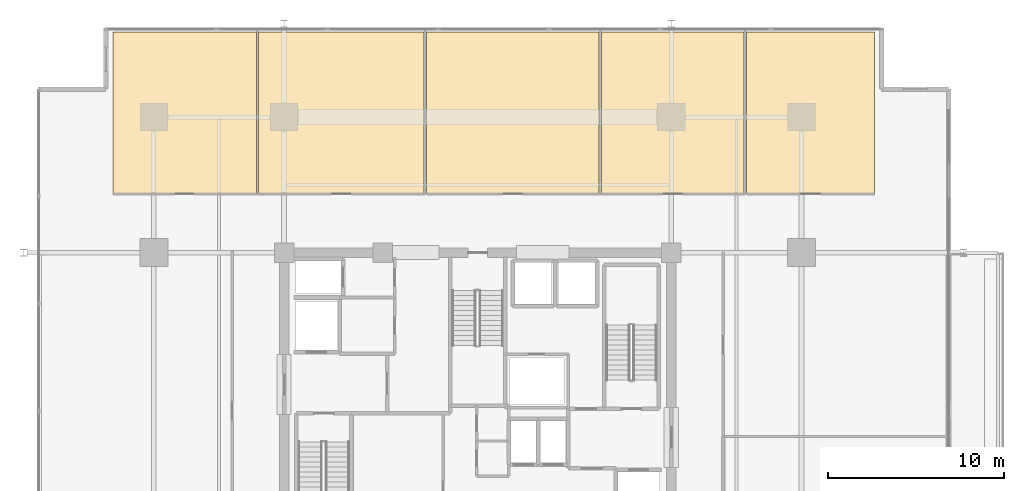
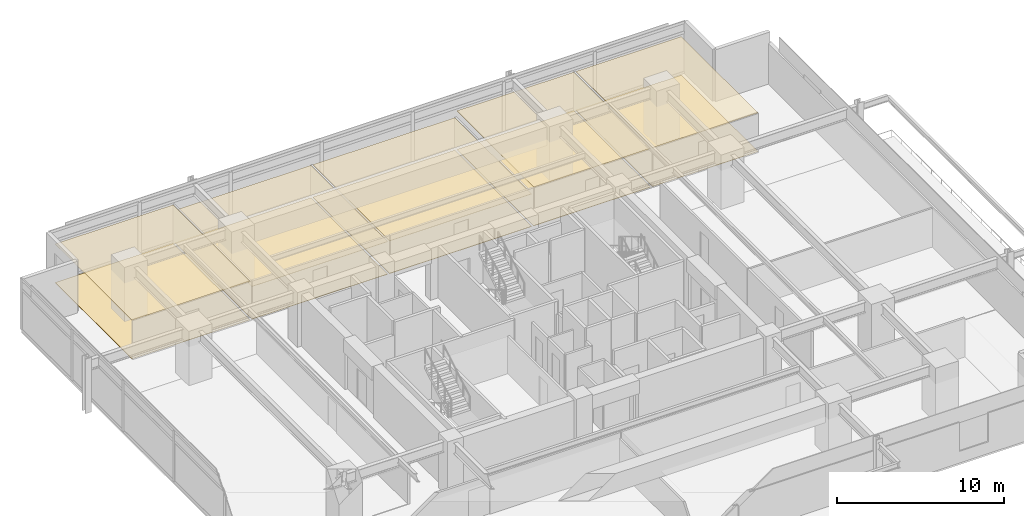
# One storey, part 21 of 21: 10 coverings.
"""IFC4 building model written with IfcOpenShell, lengths in metres."""

from ifc_helpers import new_model, si_unit, direction, frame, origin, place, context, subcontext, project, spatial, polyline, outline, extrude, material, layer, layer_set, type_object, element, save


model = new_model("IFC4")

# Units and contexts
model_context = context("Model", 3, precision=1e-05, world=origin(), true_north=direction((0.0, 1.0)))
body_context = subcontext(model_context, "Body", "Model", "MODEL_VIEW")
ifc_project = project(units=[si_unit("LENGTHUNIT", "METRE"), si_unit("AREAUNIT", "SQUARE_METRE"), si_unit("VOLUMEUNIT", "CUBIC_METRE"), si_unit("PLANEANGLEUNIT", "RADIAN"), si_unit("MASSUNIT", "GRAM", prefix="KILO")], contexts=[model_context])

# Site, building, storey
site_placement = place(None, origin())
site = spatial("IfcSite", under=ifc_project, at=site_placement, CompositionType="ELEMENT")
building_placement = place(site_placement, origin())
building = spatial("IfcBuilding", under=site, at=building_placement, Name="Kovane Verandah Tower", CompositionType="ELEMENT")
storey_placement = place(building_placement, frame((0.0, 0.0, 176.39990234375)))
storey = spatial("IfcBuildingStorey", under=building, at=storey_placement, Name="L41", CompositionType="ELEMENT", Elevation=176.39990234375)

# Coverings
ifc_material_1 = material(Name="Perforated Acoustic Mineral-Fibre Ceiling Tile", Category="gypsum")
ifc_layer_1 = layer(ifc_material_1, 0.02490234375)
ifc_layer_set_1 = layer_set([ifc_layer_1], Name="Perforated Acoustic Mineral-Fibre Ceiling Tile")
covering_type_1 = type_object("IfcCoveringType", Name="CV-CEIL-25", PredefinedType="CEILING", material=ifc_layer_set_1)
covering_1_placement = place(storey_placement, frame((0.0, 0.0, 2.8251953125)))
element("IfcCovering", 1, at=covering_1_placement, inside=storey, type_object=covering_type_1, Name="L41 Breakout Pantry N1 Acoustic Ceiling", PredefinedType="CEILING", context=body_context, shape_type="SweptSolid", body=[
    extrude(outline(polyline([(19.264404296875, 39.85009765625), (27.419677734375, 39.85009765625), (27.419677734375, 49.044921875), (19.264404296875, 49.044921875), (19.264404296875, 39.85009765625)])), origin(), (0.0, 0.0, 1.0), 0.02490234375),
])
covering_2_placement = place(storey_placement, frame((0.0, 0.0, 2.380126953125)))
element("IfcCovering", 2, at=covering_2_placement, inside=storey, type_object=covering_type_1, Name="L41 Collaboration Hub N2 Acoustic Ceiling", PredefinedType="CEILING", context=body_context, shape_type="SweptSolid", body=[
    extrude(outline(polyline([(27.559814453125, 39.85009765625), (36.94384765625, 39.85009765625), (36.94384765625, 49.044921875), (27.559814453125, 49.044921875), (27.559814453125, 39.85009765625)])), origin(), (0.0, 0.0, 1.0), 0.02490234375),
])
covering_3_placement = place(storey_placement, frame((0.0, 0.0, 2.380126953125)))
element("IfcCovering", 3, at=covering_3_placement, inside=storey, type_object=covering_type_1, Name="L41 Document and Print Room N3 Acoustic Ceiling", PredefinedType="CEILING", context=body_context, shape_type="SweptSolid", body=[
    extrude(outline(polyline([(37.083740234375, 39.85009765625), (46.90087890625, 39.85009765625), (46.90087890625, 49.044921875), (37.083740234375, 49.044921875), (37.083740234375, 39.85009765625)])), origin(), (0.0, 0.0, 1.0), 0.02490234375),
])
covering_4_placement = place(storey_placement, frame((0.0, 0.0, 2.8251953125)))
element("IfcCovering", 4, at=covering_4_placement, inside=storey, type_object=covering_type_1, Name="L41 Open Plan Office N4 Acoustic Ceiling", PredefinedType="CEILING", context=body_context, shape_type="SweptSolid", body=[
    extrude(outline(polyline([(47.040771484375, 39.85009765625), (55.126220703125, 39.85009765625), (55.126220703125, 49.044921875), (47.040771484375, 49.044921875), (47.040771484375, 39.85009765625)])), origin(), (0.0, 0.0, 1.0), 0.02490234375),
])
covering_5_placement = place(storey_placement, frame((0.0, 0.0, 2.8251953125)))
element("IfcCovering", 5, at=covering_5_placement, inside=storey, type_object=covering_type_1, Name="L41 Executive Office N5 Acoustic Ceiling", PredefinedType="CEILING", context=body_context, shape_type="SweptSolid", body=[
    extrude(outline(polyline([(55.26611328125, 39.85009765625), (62.5556640625, 39.85009765625), (62.5556640625, 49.044921875), (55.26611328125, 49.044921875), (55.26611328125, 39.85009765625)])), origin(), (0.0, 0.0, 1.0), 0.02490234375),
])
ifc_material_2 = material(Name="Polished Terrazzo and Raised-Access Carpet Tile Finish", Category="concrete")
ifc_layer_2 = layer(ifc_material_2, 0.030029296875)
ifc_layer_set_2 = layer_set([ifc_layer_2], Name="Polished Terrazzo and Raised-Access Carpet Tile Finish")
covering_type_2 = type_object("IfcCoveringType", Name="CV-FLOR-30", PredefinedType="FLOORING", material=ifc_layer_set_2)
covering_6_placement = place(storey_placement, origin())
element("IfcCovering", 6, at=covering_6_placement, inside=storey, type_object=covering_type_2, Name="L41 Breakout Pantry N1 Floor Finish", PredefinedType="FLOORING", context=body_context, shape_type="SweptSolid", body=[
    extrude(outline(polyline([(19.264404296875, 39.85009765625), (27.419677734375, 39.85009765625), (27.419677734375, 49.044921875), (19.264404296875, 49.044921875), (19.264404296875, 39.85009765625)])), origin(), (0.0, 0.0, 1.0), 0.030029296875),
])
covering_7_placement = place(storey_placement, origin())
element("IfcCovering", 7, at=covering_7_placement, inside=storey, type_object=covering_type_2, Name="L41 Collaboration Hub N2 Floor Finish", PredefinedType="FLOORING", context=body_context, shape_type="SweptSolid", body=[
    extrude(outline(polyline([(27.559814453125, 39.85009765625), (36.94384765625, 39.85009765625), (36.94384765625, 49.044921875), (27.559814453125, 49.044921875), (27.559814453125, 39.85009765625)])), origin(), (0.0, 0.0, 1.0), 0.030029296875),
])
covering_8_placement = place(storey_placement, origin())
element("IfcCovering", 8, at=covering_8_placement, inside=storey, type_object=covering_type_2, Name="L41 Document and Print Room N3 Floor Finish", PredefinedType="FLOORING", context=body_context, shape_type="SweptSolid", body=[
    extrude(outline(polyline([(37.083740234375, 39.85009765625), (46.90087890625, 39.85009765625), (46.90087890625, 49.044921875), (37.083740234375, 49.044921875), (37.083740234375, 39.85009765625)])), origin(), (0.0, 0.0, 1.0), 0.030029296875),
])
covering_9_placement = place(storey_placement, origin())
element("IfcCovering", 9, at=covering_9_placement, inside=storey, type_object=covering_type_2, Name="L41 Open Plan Office N4 Floor Finish", PredefinedType="FLOORING", context=body_context, shape_type="SweptSolid", body=[
    extrude(outline(polyline([(47.040771484375, 39.85009765625), (55.126220703125, 39.85009765625), (55.126220703125, 49.044921875), (47.040771484375, 49.044921875), (47.040771484375, 39.85009765625)])), origin(), (0.0, 0.0, 1.0), 0.030029296875),
])
covering_10_placement = place(storey_placement, origin())
element("IfcCovering", 10, at=covering_10_placement, inside=storey, type_object=covering_type_2, Name="L41 Executive Office N5 Floor Finish", PredefinedType="FLOORING", context=body_context, shape_type="SweptSolid", body=[
    extrude(outline(polyline([(55.26611328125, 39.85009765625), (62.5556640625, 39.85009765625), (62.5556640625, 49.044921875), (55.26611328125, 49.044921875), (55.26611328125, 39.85009765625)])), origin(), (0.0, 0.0, 1.0), 0.030029296875),
])

save(model, "model.ifc")
